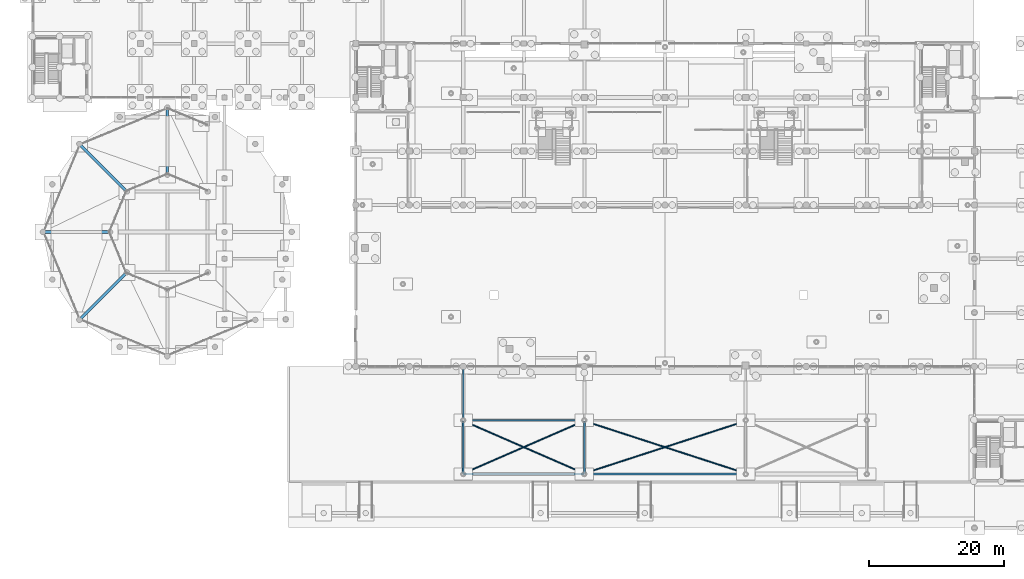
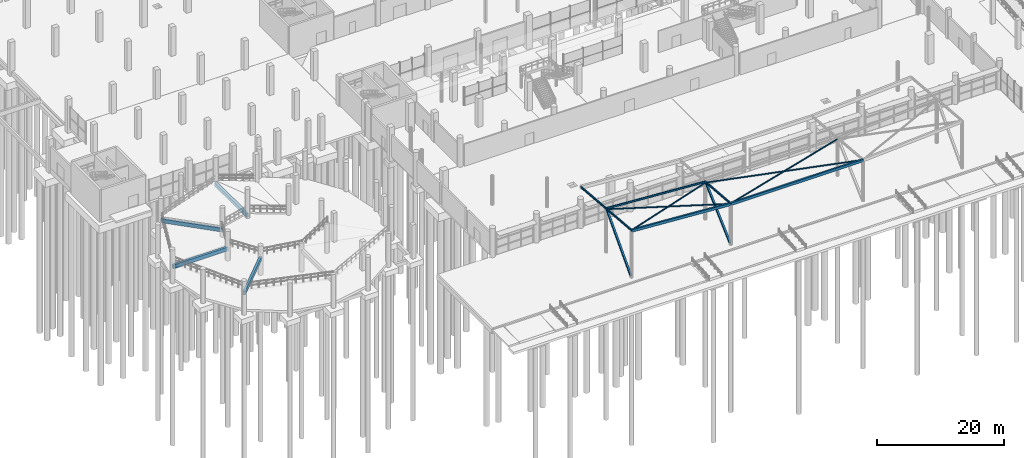
# One storey, part 36 of 98: 10 beams, 6 members.
"""IFC4 building model written with IfcOpenShell, lengths in metres."""

from ifc_helpers import new_model, si_unit, derived_unit, direction, frame, origin, origin_2d, place, context, subcontext, project, spatial, rectangle, hollow_rectangle, hollow_circle, i_section, extrude, material, material_profile, profile_set, type_object, element, save


model = new_model("IFC4")

# Units and contexts
model_context = context("Model", 3, precision=1e-05, world=origin(), true_north=direction((0.0, 1.0)))
body_context = subcontext(model_context, "Body", "Model", "MODEL_VIEW")
ifc_project = project(units=[si_unit("LENGTHUNIT", "METRE"), si_unit("AREAUNIT", "SQUARE_METRE"), si_unit("VOLUMEUNIT", "CUBIC_METRE"), si_unit("PLANEANGLEUNIT", "RADIAN"), si_unit("MASSUNIT", "GRAM", prefix="KILO"), si_unit("THERMODYNAMICTEMPERATUREUNIT", "KELVIN"), derived_unit("THERMALTRANSMITTANCEUNIT", [(si_unit("POWERUNIT", "WATT"), 1), (si_unit("AREAUNIT", "SQUARE_METRE"), -1), (si_unit("THERMODYNAMICTEMPERATUREUNIT", "KELVIN"), -1)])], contexts=[model_context])

# Site, building, storey
site_placement = place(None, origin())
site = spatial("IfcSite", under=ifc_project, at=site_placement, CompositionType="ELEMENT")
building_placement = place(site_placement, origin())
building = spatial("IfcBuilding", under=site, at=building_placement, Name="Haiyu Intermodal Mobility Hub", CompositionType="ELEMENT")
storey_placement = place(building_placement, origin())
storey = spatial("IfcBuildingStorey", under=building, at=storey_placement, Name="L00", CompositionType="ELEMENT", Elevation=0.0)

# Beams
ifc_material_1 = material(Name="Concrete C40", Category="concrete")
ifc_material_profile_1 = material_profile(ifc_material_1, rectangle(XDim=0.39990234375, YDim=0.719970703125, at=origin_2d()), Name="RCB400x720")
ifc_profile_set_1 = profile_set([ifc_material_profile_1], Name="Concrete C40")
beam_type_1 = type_object("IfcBeamType", Name="BM-CB11", PredefinedType="BEAM", material=ifc_profile_set_1)
for number, where, z_axis, x_axis, name in (
    (1, (34.0, 68.5, 0.2880859375), (0.0, 1.0, 0.0), (-1.0, 0.0, 0.0), "BM-RMPM-L00-01"),
    (2, (27.989990234375, 66.010009765625, 1.221923828125), (-0.707106781187, 0.707106781187, 0.0), (-0.707106781187, -0.707106781187, 0.0), "BM-RMPM-L00-02"),
    (3, (25.5, 60.0, 2.155029296875), (-1.0, 0.0, 0.0), (0.0, -1.0, 0.0), "BM-RMPM-L00-03"),
    (4, (27.989990234375, 53.989990234375, 3.087890625), (-0.707106781187, -0.707106781187, 0.0), (0.707106781187, -0.707106781187, 0.0), "BM-RMPM-L00-04"),
):
    element("IfcBeam", number, at=place(storey_placement, frame(where, z_axis=z_axis, x_axis=x_axis)), inside=storey, type_object=beam_type_1, Name=name, PredefinedType="BEAM", context=body_context, shape_type="SweptSolid", body=[
        extrude(rectangle(XDim=0.39990234375, YDim=0.719970703125, at=origin_2d()), origin(), (0.0, 0.0, 1.0), 10.0),
    ])
ifc_material_2 = material(Name="Steel Q355C", Category="steel")
ifc_material_profile_2 = material_profile(ifc_material_2, i_section(OverallWidth=0.175048828125, OverallDepth=0.35009765625, WebThickness=0.007080078125, FlangeThickness=0.010986328125, FilletRadius=0.013916015625, at=origin_2d()), Name="HN350x175x7x11")
ifc_profile_set_2 = profile_set([ifc_material_profile_2], Name="Steel Q355C")
beam_type_2 = type_object("IfcBeamType", Name="BM-SB09", PredefinedType="JOIST", material=ifc_profile_set_2)
beam_1_placement = place(storey_placement, frame((78.0, 32.0, 8.382080078125), z_axis=(0.99789357474, 0.0, -0.064872286021), x_axis=(0.0, 1.0, 0.0)))
element("IfcBeam", 5, at=beam_1_placement, inside=storey, type_object=beam_type_2, Name="BM-CAN-L00-004", PredefinedType="JOIST", context=body_context, shape_type="SweptSolid", body=[
    extrude(i_section(OverallWidth=0.175048828125, OverallDepth=0.35009765625, WebThickness=0.007080078125, FlangeThickness=0.010986328125, FilletRadius=0.013916015625, at=origin_2d()), origin(), (0.0, 0.0, 1.0), 18.0380859375),
])
beam_2_placement = place(storey_placement, frame((78.0, 24.0, 9.06005859375), z_axis=(0.0, 0.996458813891, -0.084082294324), x_axis=(-1.0, 0.0, 0.0)))
element("IfcBeam", 6, at=beam_2_placement, inside=storey, type_object=beam_type_2, Name="BM-CANT-L00-010", PredefinedType="JOIST", context=body_context, shape_type="SweptSolid", body=[
    extrude(i_section(OverallWidth=0.175048828125, OverallDepth=0.35009765625, WebThickness=0.007080078125, FlangeThickness=0.010986328125, FilletRadius=0.013916015625, at=origin_2d()), origin(), (0.0, 0.0, 1.0), 8.0283203125),
])
beam_3_placement = place(storey_placement, frame((78.0, 32.0, 8.385009765625), z_axis=(0.0, 0.996454104571, -0.084138085814), x_axis=(-1.0, 0.0, 0.0)))
element("IfcBeam", 7, at=beam_3_placement, inside=storey, type_object=beam_type_2, Name="BM-CANT-L00-011", PredefinedType="JOIST", context=body_context, shape_type="SweptSolid", body=[
    extrude(i_section(OverallWidth=0.175048828125, OverallDepth=0.35009765625, WebThickness=0.007080078125, FlangeThickness=0.010986328125, FilletRadius=0.013916015625, at=origin_2d()), origin(), (0.0, 0.0, 1.0), 7.98828125),
])
beam_4_placement = place(storey_placement, frame((96.0, 24.0, 7.889892578125), z_axis=(0.0, 0.996461361287, -0.084052099689), x_axis=(-1.0, 0.0, 0.0)))
element("IfcBeam", 8, at=beam_4_placement, inside=storey, type_object=beam_type_2, Name="BM-CANT-L00-012", PredefinedType="JOIST", context=body_context, shape_type="SweptSolid", body=[
    extrude(i_section(OverallWidth=0.175048828125, OverallDepth=0.35009765625, WebThickness=0.007080078125, FlangeThickness=0.010986328125, FilletRadius=0.013916015625, at=origin_2d()), origin(), (0.0, 0.0, 1.0), 8.0283203125),
])
ifc_material_profile_3 = material_profile(ifc_material_2, hollow_rectangle(XDim=0.300048828125, YDim=0.5, WallThickness=0.01611328125, at=origin_2d()), Name="RHS500x300x16")
ifc_profile_set_3 = profile_set([ifc_material_profile_3], Name="Steel Q355C")
beam_type_3 = type_object("IfcBeamType", Name="BM-SB15", PredefinedType="SPANDREL", material=ifc_profile_set_3)
beam_5_placement = place(storey_placement, frame((78.0, 24.0, 8.98193359375), z_axis=(0.997894450833, 0.0, -0.064858808165), x_axis=(0.0, 1.0, 0.0)))
element("IfcBeam", 9, at=beam_5_placement, inside=storey, type_object=beam_type_3, Name="BM-CAN-L00-001", PredefinedType="SPANDREL", context=body_context, shape_type="SweptSolid", body=[
    extrude(hollow_rectangle(XDim=0.300048828125, YDim=0.5, WallThickness=0.01611328125, at=origin_2d()), origin(), (0.0, 0.0, 1.0), 18.0380859375),
])
beam_6_placement = place(storey_placement, frame((96.0, 24.0, 7.81201171875), z_axis=(1.0, 0.0, 0.0), x_axis=(0.0, 1.0, 0.0)))
element("IfcBeam", 10, at=beam_6_placement, inside=storey, type_object=beam_type_3, Name="BM-CAN-L00-002", PredefinedType="SPANDREL", context=body_context, shape_type="SweptSolid", body=[
    extrude(hollow_rectangle(XDim=0.300048828125, YDim=0.5, WallThickness=0.01611328125, at=origin_2d()), origin(), (0.0, 0.0, 1.0), 24.0),
])

# Members
ifc_material_profile_4 = material_profile(ifc_material_2, hollow_circle(Radius=0.12255859375, WallThickness=0.008056640625, at=origin_2d()), Name="CHS245x8")
ifc_profile_set_4 = profile_set([ifc_material_profile_4], Name="Steel Q355C")
member_type_1 = type_object("IfcMemberType", Name="MEM-BR03", PredefinedType="BRACE", material=ifc_profile_set_4)
member_1_placement = place(storey_placement, frame((78.14990234375, 24.14990234375, 8.949951171875), z_axis=(0.912825354242, 0.397110505832, -0.095147878648), x_axis=(-0.398920347977, 0.916985581113, 0.0)))
element("IfcMember", 11, at=member_1_placement, inside=storey, type_object=member_type_1, Name="Canopy Wind Brace 01A", PredefinedType="BRACE", context=body_context, shape_type="SweptSolid", body=[
    extrude(hollow_circle(Radius=0.12255859375, WallThickness=0.008056640625, at=origin_2d()), origin(), (0.0, 0.0, 1.0), 19.390625),
])
member_2_placement = place(storey_placement, frame((95.85009765625, 24.14990234375, 7.780029296875), z_axis=(-0.916684367233, 0.398789309552, 0.025629230516), x_axis=(-0.398920347977, -0.916985581113, 0.0)))
element("IfcMember", 12, at=member_2_placement, inside=storey, type_object=member_type_1, Name="Canopy Wind Brace 01B", PredefinedType="BRACE", context=body_context, shape_type="SweptSolid", body=[
    extrude(hollow_circle(Radius=0.12255859375, WallThickness=0.008056640625, at=origin_2d()), origin(), (0.0, 0.0, 1.0), 19.308837890625),
])
ifc_material_profile_5 = material_profile(ifc_material_2, hollow_circle(Radius=0.12255859375, WallThickness=0.008056640625, at=origin_2d()), Name="CHS245x8")
ifc_profile_set_5 = profile_set([ifc_material_profile_5], Name="Steel Q355C")
member_type_2 = type_object("IfcMemberType", Name="MEM-BR03-INT", PredefinedType="BRACE", material=ifc_profile_set_5)
for number, where, z_axis, x_axis, name in (
    (13, (96.14990234375, 24.14990234375, 7.780029296875), (0.950713241637, 0.308886806639, -0.027079011425), (-0.309000118115, 0.951061999559, 0.0), "Canopy Wind Brace 02A"),
    (14, (119.85009765625, 24.14990234375, 7.780029296875), (-0.950713241637, 0.308886806639, -0.027079011425), (-0.309000118115, -0.951061999559, 0.0), "Canopy Wind Brace 02B"),
):
    element("IfcMember", number, at=place(storey_placement, frame(where, z_axis=z_axis, x_axis=x_axis)), inside=storey, type_object=member_type_2, Name=name, PredefinedType="BRACE", context=body_context, shape_type="SweptSolid", body=[
        extrude(hollow_circle(Radius=0.12255859375, WallThickness=0.008056640625, at=origin_2d()), origin(), (0.0, 0.0, 1.0), 24.928955078125),
    ])
ifc_material_profile_6 = material_profile(ifc_material_2, hollow_rectangle(XDim=0.300048828125, YDim=0.300048828125, WallThickness=0.011962890625, at=origin_2d()), Name="SHS300x300x12")
ifc_profile_set_6 = profile_set([ifc_material_profile_6], Name="Steel Q355C")
member_type_3 = type_object("IfcMemberType", Name="MEM-BR04", PredefinedType="BRACE", material=ifc_profile_set_6)
member_3_placement = place(storey_placement, frame((78.0, 24.179931640625, 0.14990234375), z_axis=(0.0, 0.681680020239, 0.73165042883), x_axis=(-1.0, 0.0, 0.0)))
element("IfcMember", 15, at=member_3_placement, inside=storey, type_object=member_type_3, Name="Canopy Forecourt V-Strut 078", PredefinedType="BRACE", context=body_context, shape_type="SweptSolid", body=[
    extrude(hollow_rectangle(XDim=0.300048828125, YDim=0.300048828125, WallThickness=0.011962890625, at=origin_2d()), origin(), (0.0, 0.0, 1.0), 11.207763671875),
])
member_4_placement = place(storey_placement, frame((96.0, 24.179931640625, 0.14990234375), z_axis=(0.0, 0.735878049844, 0.677114093604), x_axis=(-1.0, 0.0, 0.0)))
element("IfcMember", 16, at=member_4_placement, inside=storey, type_object=member_type_3, Name="Canopy Forecourt V-Strut 096", PredefinedType="BRACE", context=body_context, shape_type="SweptSolid", body=[
    extrude(hollow_rectangle(XDim=0.300048828125, YDim=0.300048828125, WallThickness=0.011962890625, at=origin_2d()), origin(), (0.0, 0.0, 1.0), 10.38232421875),
])

save(model, "model.ifc")
